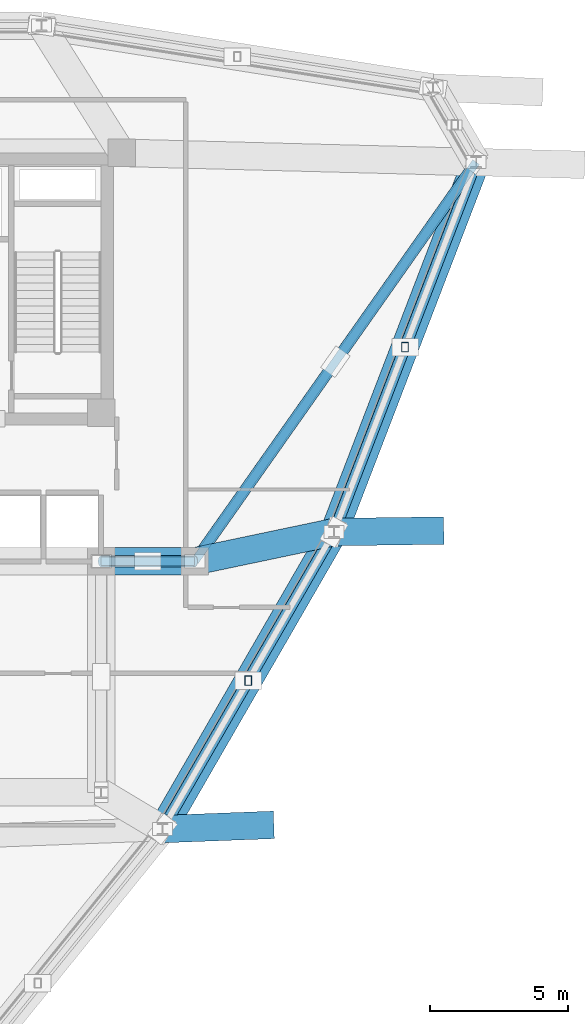
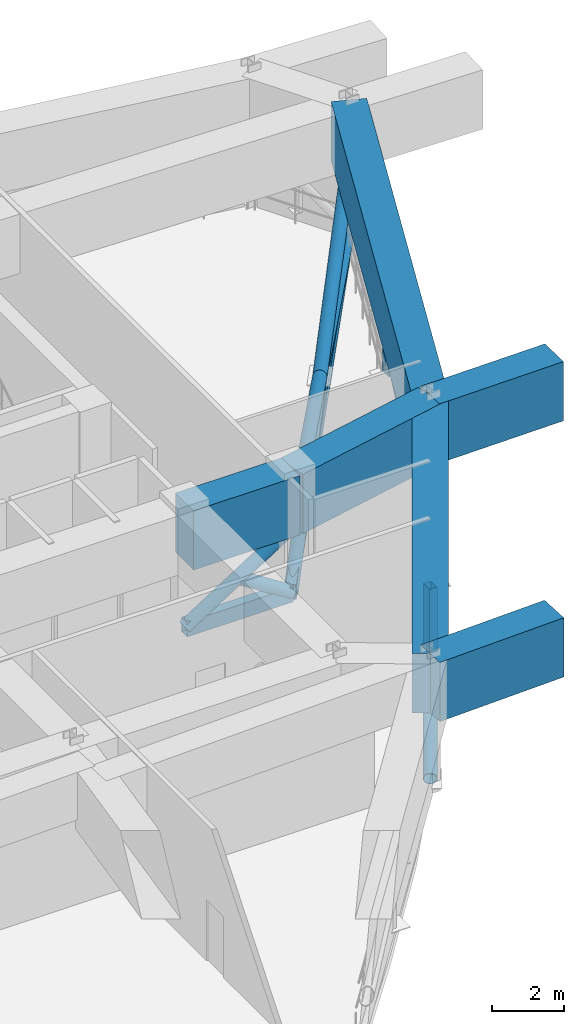
# One storey, part 4 of 12: 11 members, 6 beams.
"""IFC4 building model written with IfcOpenShell, lengths in metres."""

from ifc_helpers import new_model, si_unit, derived_unit, direction, frame, origin, origin_2d, place, context, subcontext, project, spatial, rectangle, hollow_rectangle, hollow_circle, extrude, source, transform, mapped, material, material_profile, profile_set, type_object, element, save


model = new_model("IFC4")

# Units and contexts
model_context = context("Model", 3, precision=1e-05, world=origin(), true_north=direction((0.0, 1.0)))
body_context = subcontext(model_context, "Body", "Model", "MODEL_VIEW")
ifc_project = project(units=[si_unit("LENGTHUNIT", "METRE"), si_unit("AREAUNIT", "SQUARE_METRE"), si_unit("VOLUMEUNIT", "CUBIC_METRE"), si_unit("PLANEANGLEUNIT", "RADIAN"), si_unit("MASSUNIT", "GRAM", prefix="KILO"), derived_unit("THERMALTRANSMITTANCEUNIT", [(si_unit("POWERUNIT", "WATT"), 1), (si_unit("LENGTHUNIT", "METRE"), -2), (si_unit("THERMODYNAMICTEMPERATUREUNIT", "KELVIN"), -1)])], contexts=[model_context])

# Site, building, storey
site_placement = place(None, origin())
site = spatial("IfcSite", under=ifc_project, at=site_placement, CompositionType="ELEMENT")
building_placement = place(site_placement, origin())
building = spatial("IfcBuilding", under=site, at=building_placement, Name="Korsvarv Bourse and Concert Hall", CompositionType="ELEMENT")
storey_placement = place(building_placement, frame((0.0, 0.0, 201.0)))
storey = spatial("IfcBuildingStorey", under=building, at=storey_placement, Name="L52", CompositionType="ELEMENT", Elevation=201.0)

# Beam
ifc_material_1 = material(Name="Concrete C60/75", Category="concrete")
ifc_material_profile_1 = material_profile(ifc_material_1, rectangle(XDim=1.0, YDim=2.0, at=origin_2d()), Name="RC-BM 1000x2000")
ifc_profile_set_1 = profile_set([ifc_material_profile_1], Name="Concrete C60/75")
beam_type = type_object("IfcBeamType", Name="BM-TR1", PredefinedType="BEAM", material=ifc_profile_set_1)
shared_shape_1 = source(origin(), body_context, "Body", "SweptSolid", [
    extrude(rectangle(XDim=1.0, YDim=2.0, at=origin_2d()), origin(), (0.0, 0.0, 1.0), 3.400146484375),
])
beam_1_placement = place(storey_placement, frame((44.39990234375, 32.39990234375, 3.570068359375), z_axis=(1.0, 0.0, 0.0), x_axis=(0.0, 1.0, 0.0)))
element("IfcBeam", 1, at=beam_1_placement, inside=storey, type_object=beam_type, Name="L52 beam B-TR1", PredefinedType="BEAM", context=body_context, shape_type="MappedRepresentation", body=[
    mapped(shared_shape_1, transform((0.0, 0.0, 0.0), scale=1.0)),
])

# Members
ifc_material_2 = material(Name="Steel S460", Category="steel")
ifc_material_profile_2 = material_profile(ifc_material_2, hollow_rectangle(XDim=0.300048828125, YDim=0.5, WallThickness=0.02001953125, at=origin_2d()), Name="RHS 500x300x20")
ifc_profile_set_2 = profile_set([ifc_material_profile_2], Name="Steel S460")
member_type_1 = type_object("IfcMemberType", Name="MEM-RHS500", PredefinedType="CHORD", material=ifc_profile_set_2)
shared_shape_2 = source(origin(), body_context, "Body", "SweptSolid", [
    extrude(hollow_rectangle(XDim=0.300048828125, YDim=0.5, WallThickness=0.02001953125, at=origin_2d()), origin(), (0.0, 0.0, 1.0), 3.400146484375),
])
member_1_placement = place(storey_placement, frame((44.39990234375, 32.39990234375, 0.35009765625), z_axis=(1.0, 0.0, 0.0), x_axis=(0.0, 1.0, 0.0)))
element("IfcMember", 2, at=member_1_placement, inside=storey, type_object=member_type_1, Name="L52 Outrigger Truss E1 Bottom Chord", PredefinedType="CHORD", context=body_context, shape_type="MappedRepresentation", body=[
    mapped(shared_shape_2, transform((0.0, 0.0, 0.0), scale=1.0)),
])
ifc_material_3 = material(Name="Steel S355", Category="steel")
ifc_material_profile_3 = material_profile(ifc_material_3, hollow_rectangle(XDim=0.25, YDim=0.35009765625, WallThickness=0.012451171875, at=origin_2d()), Name="RHS 350x250x12.5")
ifc_profile_set_3 = profile_set([ifc_material_profile_3], Name="Steel S355")
member_type_2 = type_object("IfcMemberType", Name="MEM-RHS350", PredefinedType="STRUT", material=ifc_profile_set_3)
shared_shape_3 = source(origin(), body_context, "Body", "SweptSolid", [
    extrude(hollow_rectangle(XDim=0.25, YDim=0.35009765625, WallThickness=0.012451171875, at=origin_2d()), origin(), (0.0, 0.0, 1.0), 2.169921875),
])
for number, where, z_axis, x_axis, name in (
    (3, (49.745361328125, 28.064208984375, 0.35009765625), (0.0, 0.0, 1.0), (1.0, 0.0, 0.0), "L52 Perimeter Belt Truss Strut 11"),
    (4, (55.446044921875, 40.187255859375, 0.35009765625), (0.0, 0.0, 1.0), (1.0, 0.0, 0.0), "L52 Perimeter Belt Truss Strut 12"),
):
    element("IfcMember", number, at=place(storey_placement, frame(where, z_axis=z_axis, x_axis=x_axis)), inside=storey, type_object=member_type_2, Name=name, PredefinedType="STRUT", context=body_context, shape_type="MappedRepresentation", body=[
        mapped(shared_shape_3, transform((0.0, 0.0, 0.0), scale=1.0)),
    ])

# Beams
shared_shape_4 = source(origin(), body_context, "Body", "SweptSolid", [
    extrude(rectangle(XDim=1.0, YDim=2.0, at=origin_2d()), origin(), (0.0, 0.0, 1.0), 12.46630859375),
])
beam_2_placement = place(storey_placement, frame((46.62890625, 22.666015625, 3.570068359375), z_axis=(0.499985219902, 0.86603393691, 0.0), x_axis=(-0.86603393691, 0.499985219902, 0.0)))
element("IfcBeam", 5, at=beam_2_placement, inside=storey, type_object=beam_type, Name="L52 beam B-TR1", PredefinedType="BEAM", context=body_context, shape_type="MappedRepresentation", body=[
    mapped(shared_shape_4, transform((0.0, 0.0, 0.0), scale=1.0)),
])
shared_shape_5 = source(origin(), body_context, "Body", "SweptSolid", [
    extrude(rectangle(XDim=1.0, YDim=2.0, at=origin_2d()), origin(), (0.0, 0.0, 1.0), 14.408935546875),
])
beam_3_placement = place(storey_placement, frame((52.86181640625, 33.462158203125, 3.570068359375), z_axis=(0.35869521437, 0.933454735479, 0.0), x_axis=(-0.933454735479, 0.35869521437, 0.0)))
element("IfcBeam", 6, at=beam_3_placement, inside=storey, type_object=beam_type, Name="L52 beam B-TR1", PredefinedType="BEAM", context=body_context, shape_type="MappedRepresentation", body=[
    mapped(shared_shape_5, transform((0.0, 0.0, 0.0), scale=1.0)),
])
shared_shape_6 = source(origin(), body_context, "Body", "SweptSolid", [
    extrude(rectangle(XDim=1.0, YDim=2.0, at=origin_2d()), origin(), (0.0, 0.0, 1.0), 5.172119140625),
])
beam_4_placement = place(storey_placement, frame((52.86181640625, 33.462158203125, 3.570068359375), z_axis=(-0.978681305513, -0.205384766328, 0.0), x_axis=(0.205384766328, -0.978681305513, 0.0)))
element("IfcBeam", 7, at=beam_4_placement, inside=storey, type_object=beam_type, Name="L52 beam B-TR1", PredefinedType="BEAM", context=body_context, shape_type="MappedRepresentation", body=[
    mapped(shared_shape_6, transform((0.0, 0.0, 0.0), scale=1.0)),
])
shared_shape_7 = source(origin(), body_context, "Body", "SweptSolid", [
    extrude(rectangle(XDim=1.0, YDim=2.0, at=origin_2d()), origin(), (0.0, 0.0, 1.0), 4.049072265625),
])
beam_5_placement = place(storey_placement, frame((46.62890625, 22.666015625, 3.570068359375), z_axis=(0.999275973267, 0.038046409167, 0.0), x_axis=(-0.038046409167, 0.999275973267, 0.0)))
element("IfcBeam", 8, at=beam_5_placement, inside=storey, type_object=beam_type, Name="L52 Block-Shift Transfer Girder 11", PredefinedType="BEAM", context=body_context, shape_type="MappedRepresentation", body=[
    mapped(shared_shape_7, transform((0.0, 0.0, 0.0), scale=1.0)),
])
shared_shape_8 = source(origin(), body_context, "Body", "SweptSolid", [
    extrude(rectangle(XDim=1.0, YDim=2.0, at=origin_2d()), origin(), (0.0, 0.0, 1.0), 3.990478515625),
])
beam_6_placement = place(storey_placement, frame((52.86181640625, 33.462158203125, 3.570068359375), z_axis=(0.999900985771, 0.014071910098, 0.0), x_axis=(-0.014071910098, 0.999900985771, 0.0)))
element("IfcBeam", 9, at=beam_6_placement, inside=storey, type_object=beam_type, Name="L52 Block-Shift Transfer Girder 12", PredefinedType="BEAM", context=body_context, shape_type="MappedRepresentation", body=[
    mapped(shared_shape_8, transform((0.0, 0.0, 0.0), scale=1.0)),
])

# Members
ifc_material_profile_4 = material_profile(ifc_material_3, hollow_circle(Radius=0.203125, WallThickness=0.01611328125, at=origin_2d()), Name="CHS 406.4x16")
ifc_profile_set_4 = profile_set([ifc_material_profile_4], Name="Steel S355")
member_type_3 = type_object("IfcMemberType", Name="MEM-CHS406", PredefinedType="BRACE", material=ifc_profile_set_4)
shared_shape_9 = source(origin(), body_context, "Body", "SweptSolid", [
    extrude(hollow_circle(Radius=0.203125, WallThickness=0.01611328125, at=origin_2d()), origin(), (0.0, 0.0, 1.0), 4.033447265625),
])
member_2_placement = place(storey_placement, frame((44.39990234375, 32.39990234375, 0.35009765625), z_axis=(0.842965426826, 0.0, 0.537967739903), x_axis=(0.0, 1.0, 0.0)))
element("IfcMember", 10, at=member_2_placement, inside=storey, type_object=member_type_3, Name="L52 Outrigger Truss E1 Diagonal 1", PredefinedType="BRACE", context=body_context, shape_type="MappedRepresentation", body=[
    mapped(shared_shape_9, transform((0.0, 0.0, 0.0), scale=1.0)),
])
shared_shape_10 = source(origin(), body_context, "Body", "SweptSolid", [
    extrude(hollow_circle(Radius=0.203125, WallThickness=0.01611328125, at=origin_2d()), origin(), (0.0, 0.0, 1.0), 2.0166015625),
])
member_3_placement = place(storey_placement, frame((47.800048828125, 32.39990234375, 0.35009765625), z_axis=(-0.842947908287, 0.0, 0.537995189491), x_axis=(0.0, -1.0, 0.0)))
element("IfcMember", 11, at=member_3_placement, inside=storey, type_object=member_type_3, Name="L52 Outrigger Truss E1 Split Diagonal 2A", PredefinedType="BRACE", context=body_context, shape_type="MappedRepresentation", body=[
    mapped(shared_shape_10, transform((0.0, 0.0, 0.0), scale=1.0)),
])
shared_shape_11 = source(origin(), body_context, "Body", "SweptSolid", [
    extrude(hollow_rectangle(XDim=0.300048828125, YDim=0.5, WallThickness=0.02001953125, at=origin_2d()), origin(), (0.0, 0.0, 1.0), 17.755859375),
])
member_4_placement = place(storey_placement, frame((47.800048828125, 32.39990234375, 0.35009765625), z_axis=(0.57616214008, 0.817335419726, 0.0), x_axis=(-0.817335419726, 0.57616214008, 0.0)))
element("IfcMember", 12, at=member_4_placement, inside=storey, type_object=member_type_1, Name="L52 Outrigger Truss E2 Bottom Chord", PredefinedType="CHORD", context=body_context, shape_type="MappedRepresentation", body=[
    mapped(shared_shape_11, transform((0.0, 0.0, 0.0), scale=1.0)),
])
shared_shape_12 = source(origin(), body_context, "Body", "SweptSolid", [
    extrude(hollow_circle(Radius=0.203125, WallThickness=0.01611328125, at=origin_2d()), origin(), (0.0, 0.0, 1.0), 17.887939453125),
])
member_5_placement = place(storey_placement, frame((47.800048828125, 32.39990234375, 0.35009765625), z_axis=(0.571907230491, 0.811299465482, 0.121306623979), x_axis=(-0.817335419726, 0.57616214008, 0.0)))
element("IfcMember", 13, at=member_5_placement, inside=storey, type_object=member_type_3, Name="L52 Outrigger Truss E2 Diagonal 1", PredefinedType="BRACE", context=body_context, shape_type="MappedRepresentation", body=[
    mapped(shared_shape_12, transform((0.0, 0.0, 0.0), scale=1.0)),
])
shared_shape_13 = source(origin(), body_context, "Body", "SweptSolid", [
    extrude(hollow_circle(Radius=0.203125, WallThickness=0.01611328125, at=origin_2d()), origin(), (0.0, 0.0, 1.0), 8.94384765625),
])
member_6_placement = place(storey_placement, frame((58.0302734375, 46.912353515625, 0.35009765625), z_axis=(-0.571922747397, -0.811288467707, 0.121307020305), x_axis=(0.817324380011, -0.576177800544, 0.0)))
element("IfcMember", 14, at=member_6_placement, inside=storey, type_object=member_type_3, Name="L52 Outrigger Truss E2 Split Diagonal 2A", PredefinedType="BRACE", context=body_context, shape_type="MappedRepresentation", body=[
    mapped(shared_shape_13, transform((0.0, 0.0, 0.0), scale=1.0)),
])
shared_shape_14 = source(origin(), body_context, "Body", "SweptSolid", [
    extrude(hollow_circle(Radius=0.203125, WallThickness=0.01611328125, at=origin_2d()), origin(), (0.0, 0.0, 1.0), 8.944091796875),
])
member_7_placement = place(storey_placement, frame((52.9150390625, 39.65625, 1.43505859375), z_axis=(-0.571891713479, -0.811310462891, 0.121306227612), x_axis=(0.817346459068, -0.576146479508, 0.0)))
element("IfcMember", 15, at=member_7_placement, inside=storey, type_object=member_type_3, Name="L52 Outrigger Truss E2 Split Diagonal 2B", PredefinedType="BRACE", context=body_context, shape_type="MappedRepresentation", body=[
    mapped(shared_shape_14, transform((0.0, 0.0, 0.0), scale=1.0)),
])
shared_shape_15 = source(origin(), body_context, "Body", "SweptSolid", [
    extrude(hollow_circle(Radius=0.203125, WallThickness=0.01611328125, at=origin_2d()), origin(), (0.0, 0.0, 1.0), 14.571533203125),
])
member_8_placement = place(storey_placement, frame((52.86181640625, 33.462158203125, 0.35009765625), z_axis=(0.354695749333, 0.923046680314, 0.14891524894), x_axis=(-0.933454735479, 0.35869521437, 0.0)))
element("IfcMember", 16, at=member_8_placement, inside=storey, type_object=member_type_3, Name="L52 Perimeter Belt Truss Diagonal 12", PredefinedType="BRACE", context=body_context, shape_type="MappedRepresentation", body=[
    mapped(shared_shape_15, transform((0.0, 0.0, 0.0), scale=1.0)),
])
shared_shape_16 = source(origin(), body_context, "Body", "SweptSolid", [
    extrude(hollow_circle(Radius=0.203125, WallThickness=0.01611328125, at=origin_2d()), origin(), (0.0, 0.0, 1.0), 12.653564453125),
])
member_9_placement = place(storey_placement, frame((46.62890625, 22.666015625, 0.35009765625), z_axis=(0.49257871046, 0.853204980621, 0.171486078283), x_axis=(-0.86603393691, 0.499985219902, 0.0)))
element("IfcMember", 17, at=member_9_placement, inside=storey, type_object=member_type_3, Name="L52 Perimeter Belt Truss Diagonal 11", PredefinedType="BRACE", context=body_context, shape_type="MappedRepresentation", body=[
    mapped(shared_shape_16, transform((0.0, 0.0, 0.0), scale=1.0)),
])

save(model, "model.ifc")
